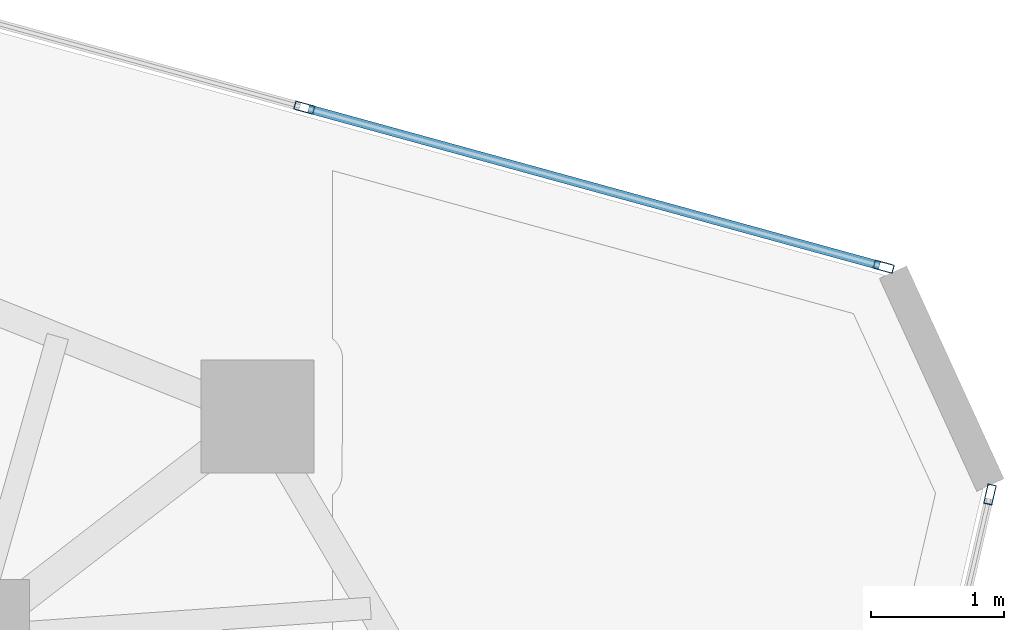
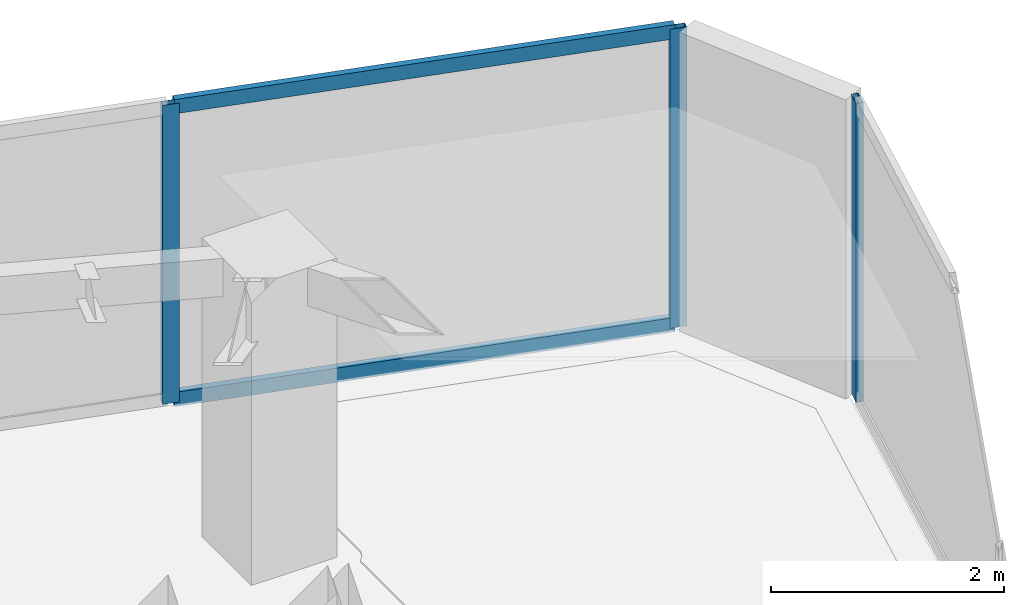
# One storey, part 14 of 20: 5 members, 2 elements without a shape of their own.
"""IFC4 building model written with IfcOpenShell, lengths in metres."""

from ifc_helpers import new_model, si_unit, direction, frame, origin, origin_2d, place, context, subcontext, project, spatial, hollow_rectangle, extrude, source, transform, mapped, material, layer, layer_set, material_profile, profile_set, type_object, type_shapes, element, aggregate, save


model = new_model("IFC4")

# Units and contexts
model_context = context("Model", 3, precision=1e-05, world=origin(), true_north=direction((0.0, 1.0)))
body_context = subcontext(model_context, "Body", "Model", "MODEL_VIEW")
ifc_project = project(units=[si_unit("LENGTHUNIT", "METRE"), si_unit("AREAUNIT", "SQUARE_METRE"), si_unit("VOLUMEUNIT", "CUBIC_METRE"), si_unit("PLANEANGLEUNIT", "RADIAN"), si_unit("MASSUNIT", "GRAM", prefix="KILO")], contexts=[model_context])

# Site, building, storey
site_placement = place(None, origin())
site = spatial("IfcSite", under=ifc_project, at=site_placement, CompositionType="ELEMENT")
building_placement = place(site_placement, origin())
building = spatial("IfcBuilding", under=site, at=building_placement, Name="Talar Marvaseh", CompositionType="ELEMENT")
storey_placement = place(building_placement, frame((0.0, 0.0, 247.60009765625)))
storey = spatial("IfcBuildingStorey", under=building, at=storey_placement, Name="L65", CompositionType="ELEMENT", Elevation=247.60009765625)

# Curtain wall, members
ifc_material = material(Name="Architectural Aluminium", Category="aluminium")
ifc_layer = layer(ifc_material, 0.179931640625)
ifc_layer_set = layer_set([ifc_layer], Name="Architectural Aluminium")
curtain_wall_type = type_object("IfcCurtainWallType", Name="Unitised High-Wind Sky Curtain Wall Z4", PredefinedType="NOTDEFINED", material=ifc_layer_set)
curtain_wall_1_placement = place(storey_placement, origin())
curtain_wall_1 = element("IfcCurtainWall", 1, at=curtain_wall_1_placement, inside=storey, type_object=curtain_wall_type, Name="L65 Unitised High-Wind Sky Curtain Wall Z4", PredefinedType="NOTDEFINED")
ifc_material_profile_1 = material_profile(ifc_material, hollow_rectangle(XDim=0.06494140625, YDim=0.14990234375, WallThickness=0.00390625, at=origin_2d()), Name="RHS150x65x4")
ifc_profile_set_1 = profile_set([ifc_material_profile_1], Name="Architectural Aluminium")
member_type_1 = type_object("IfcMemberType", Name="Unitised Curtain Wall Slim Mullion RHS150x65x4", PredefinedType="MULLION", material=ifc_profile_set_1)
shared_shape_1 = source(origin(), body_context, "Body", "SweptSolid", [
    extrude(hollow_rectangle(XDim=0.06494140625, YDim=0.14990234375, WallThickness=0.00390625, at=origin_2d()), origin(), (0.0, 0.0, 1.0), 3.139892578125),
])
type_shapes(member_type_1, [shared_shape_1])
member_1_placement = place(storey_placement, frame((35.78955078125, 40.869873046875, 0.0), z_axis=(0.0, 0.0, 1.0), x_axis=(0.264649312974, 0.964344721115, 0.0)))
member_1 = element("IfcMember", 2, at=member_1_placement, type_object=member_type_1, Name="CW-Z4 mullion 3", PredefinedType="MULLION", context=body_context, shape_type="MappedRepresentation", body=[
    mapped(shared_shape_1, transform((0.0, 0.0, 0.0), x_axis=(1.0, 0.0, 0.0), y_axis=(0.0, 1.0, 0.0), z_axis=(0.0, 0.0, 1.0), scale=1.0)),
])
member_2_placement = place(storey_placement, frame((40.14111328125, 39.675537109375, 0.0), z_axis=(0.0, 0.0, 1.0), x_axis=(0.264649312974, 0.964344721115, 0.0)))
member_2 = element("IfcMember", 3, at=member_2_placement, type_object=member_type_1, Name="CW-Z4 mullion 4", PredefinedType="MULLION", context=body_context, shape_type="MappedRepresentation", body=[
    mapped(shared_shape_1, transform((0.0, 0.0, 0.0), x_axis=(1.0, 0.0, 0.0), y_axis=(0.0, 1.0, 0.0), z_axis=(0.0, 0.0, 1.0), scale=1.0)),
])

# Curtain wall, member
curtain_wall_2_placement = place(storey_placement, origin())
curtain_wall_2 = element("IfcCurtainWall", 4, at=curtain_wall_2_placement, inside=storey, type_object=curtain_wall_type, Name="L65 Unitised High-Wind Sky Curtain Wall Z4", PredefinedType="NOTDEFINED")
member_3_placement = place(storey_placement, frame((40.93896484375, 37.965087890625, 0.0), z_axis=(0.0, 0.0, 1.0), x_axis=(0.974334936397, -0.225103157943, 0.0)))
member_3 = element("IfcMember", 5, at=member_3_placement, type_object=member_type_1, Name="CW-Z4 mullion 1", PredefinedType="MULLION", context=body_context, shape_type="MappedRepresentation", body=[
    mapped(shared_shape_1, transform((0.0, 0.0, 0.0), x_axis=(1.0, 0.0, 0.0), y_axis=(0.0, 1.0, 0.0), z_axis=(0.0, 0.0, 1.0), scale=1.0)),
])
aggregate(curtain_wall_2, [member_3])

# Member
ifc_material_profile_2 = material_profile(ifc_material, hollow_rectangle(XDim=0.06494140625, YDim=0.14990234375, WallThickness=0.00390625, at=origin_2d()), Name="RHS150x65x4")
ifc_profile_set_2 = profile_set([ifc_material_profile_2], Name="Architectural Aluminium")
member_type_2 = type_object("IfcMemberType", Name="Unitised Curtain Wall Slim Transom RHS150x65x4", PredefinedType="USERDEFINED", material=ifc_profile_set_2)
shared_shape_2 = source(origin(), body_context, "Body", "SweptSolid", [
    extrude(hollow_rectangle(XDim=0.06494140625, YDim=0.14990234375, WallThickness=0.00390625, at=origin_2d()), origin(), (0.0, 0.0, 1.0), 4.447509765625),
])
type_shapes(member_type_2, [shared_shape_2])
member_4_placement = place(storey_placement, frame((35.821044921875, 40.861083984375, 0.032470703125), z_axis=(0.964344555213, -0.264649917498, 0.0), x_axis=(0.264649917498, 0.964344555213, 0.0)))
member_4 = element("IfcMember", 6, at=member_4_placement, type_object=member_type_2, Name="CW-Z4 transom 3.1", ObjectType="TRANSOM", PredefinedType="USERDEFINED", context=body_context, shape_type="MappedRepresentation", body=[
    mapped(shared_shape_2, transform((0.0, 0.0, 0.0), x_axis=(1.0, 0.0, 0.0), y_axis=(0.0, 1.0, 0.0), z_axis=(0.0, 0.0, 1.0), scale=1.0)),
])

member_5_placement = place(storey_placement, frame((35.821044921875, 40.861083984375, 3.107421875), z_axis=(0.964344555213, -0.264649917498, 0.0), x_axis=(0.264649917498, 0.964344555213, 0.0)))
member_5 = element("IfcMember", 7, at=member_5_placement, type_object=member_type_2, Name="CW-Z4 transom 3.2", ObjectType="TRANSOM", PredefinedType="USERDEFINED", context=body_context, shape_type="MappedRepresentation", body=[
    mapped(shared_shape_2, transform((0.0, 0.0, 0.0), x_axis=(1.0, 0.0, 0.0), y_axis=(0.0, 1.0, 0.0), z_axis=(0.0, 0.0, 1.0), scale=1.0)),
])

aggregate(curtain_wall_1, [member_1, member_2, member_4, member_5])

save(model, "model.ifc")
